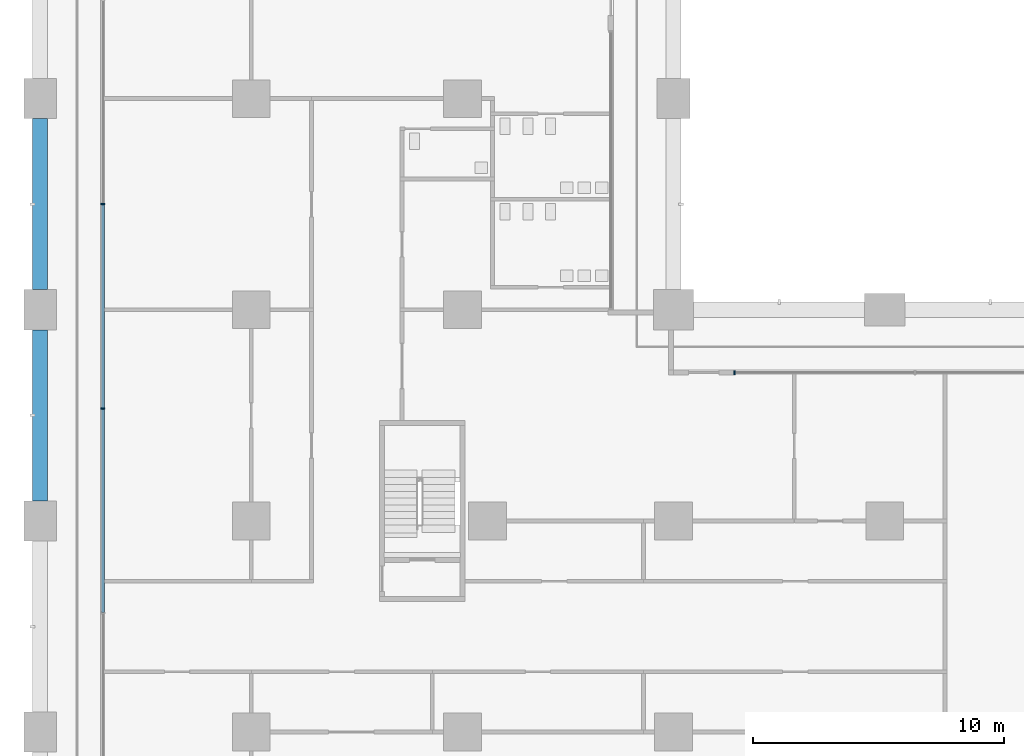
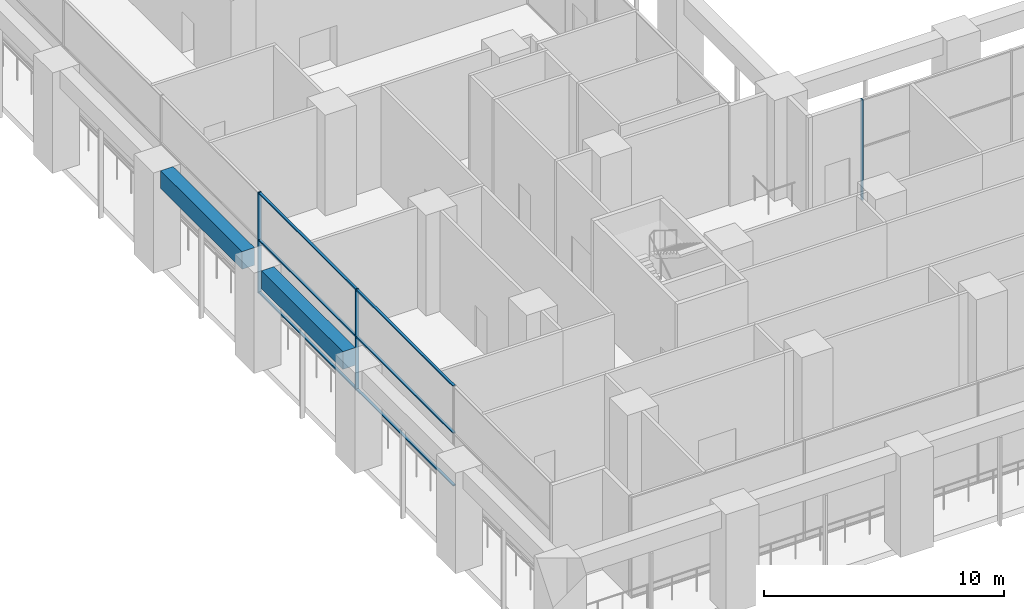
# One storey, part 4 of 32: 9 members, 2 beams, 2 elements without a shape of their own.
"""IFC4 building model written with IfcOpenShell, lengths in metres."""

from ifc_helpers import new_model, si_unit, direction, frame, origin, origin_2d, place, context, subcontext, project, spatial, rectangle, extrude, material, material_profile, profile_set, type_object, element, aggregate, save


model = new_model("IFC4")

# Units and contexts
model_context = context("Model", 3, precision=1e-05, world=origin(), true_north=direction((0.0, 1.0)))
body_context = subcontext(model_context, "Body", "Model", "MODEL_VIEW")
ifc_project = project(units=[si_unit("LENGTHUNIT", "METRE"), si_unit("AREAUNIT", "SQUARE_METRE"), si_unit("VOLUMEUNIT", "CUBIC_METRE"), si_unit("PLANEANGLEUNIT", "RADIAN"), si_unit("MASSUNIT", "GRAM", prefix="KILO")], contexts=[model_context])

# Site, building, storey
site_placement = place(None, origin())
site = spatial("IfcSite", under=ifc_project, at=site_placement, CompositionType="ELEMENT")
building_placement = place(site_placement, origin())
building = spatial("IfcBuilding", under=site, at=building_placement, Name="Vermilion Gate Residences", CompositionType="ELEMENT")
storey_placement = place(building_placement, frame((0.0, 0.0, 19.800048828125)))
storey = spatial("IfcBuildingStorey", under=building, at=storey_placement, Name="L03", CompositionType="ELEMENT", Elevation=19.800048828125)

# Curtain wall, members
ifc_material_1 = material(Name="Aluminium and glass", Category="aluminium")
curtain_wall_type = type_object("IfcCurtainWallType", Name="AMENITY GLAZING CURTAIN WALL", PredefinedType="NOTDEFINED", material=ifc_material_1)
curtain_wall_1_placement = place(storey_placement, origin())
curtain_wall_1 = element("IfcCurtainWall", 1, at=curtain_wall_1_placement, inside=storey, type_object=curtain_wall_type, Name="Amenity Glazing 30", PredefinedType="NOTDEFINED")
ifc_material_2 = material(Name="Aluminium", Category="aluminium")
ifc_material_profile_1 = material_profile(ifc_material_2, rectangle(XDim=0.159912109375, YDim=0.06005859375, at=origin_2d()), Name="MULLION 60 X 160")
ifc_profile_set_1 = profile_set([ifc_material_profile_1], Name="Aluminium")
member_type_1 = type_object("IfcMemberType", Name="AMENITY GLAZING MULLION 60 X 160", PredefinedType="MULLION", material=ifc_profile_set_1)
member_1_placement = place(storey_placement, frame((2.5, 29.39990234375, 0.0), z_axis=(0.0, 0.0, 1.0), x_axis=(1.0, 0.0, 0.0)))
member_1 = element("IfcMember", 2, at=member_1_placement, type_object=member_type_1, Name="ECW2 mullion 4", PredefinedType="MULLION", context=body_context, shape_type="SweptSolid", body=[
    extrude(rectangle(XDim=0.159912109375, YDim=0.06005859375, at=origin_2d()), origin(), (0.0, 0.0, 1.0), 5.119873046875),
])
member_2_placement = place(storey_placement, frame((2.5, 21.2666015625, 0.0), z_axis=(0.0, 0.0, 1.0), x_axis=(1.0, 0.0, 0.0)))
member_2 = element("IfcMember", 3, at=member_2_placement, type_object=member_type_1, Name="ECW2 mullion 5", PredefinedType="MULLION", context=body_context, shape_type="SweptSolid", body=[
    extrude(rectangle(XDim=0.159912109375, YDim=0.06005859375, at=origin_2d()), origin(), (0.0, 0.0, 1.0), 5.119873046875),
])

# Curtain wall, member
curtain_wall_2_placement = place(storey_placement, origin())
curtain_wall_2 = element("IfcCurtainWall", 4, at=curtain_wall_2_placement, inside=storey, type_object=curtain_wall_type, Name="Amenity Glazing 130", PredefinedType="NOTDEFINED")
member_3_placement = place(storey_placement, frame((27.6298828125, 22.699951171875, 0.0), z_axis=(0.0, 0.0, 1.0), x_axis=(0.0, -1.0, 0.0)))
member_3 = element("IfcMember", 5, at=member_3_placement, type_object=member_type_1, Name="ECW2 mullion 3", PredefinedType="MULLION", context=body_context, shape_type="SweptSolid", body=[
    extrude(rectangle(XDim=0.159912109375, YDim=0.06005859375, at=origin_2d()), origin(), (0.0, 0.0, 1.0), 5.119873046875),
])
aggregate(curtain_wall_2, [member_3])

# Member
ifc_material_3 = material(Name="Aluminium", Category="aluminium")
ifc_material_profile_2 = material_profile(ifc_material_3, rectangle(XDim=0.1201171875, YDim=0.06005859375, at=origin_2d()), Name="TRANSOM 60 X 120")
ifc_profile_set_2 = profile_set([ifc_material_profile_2], Name="Aluminium")
member_type_2 = type_object("IfcMemberType", Name="AMENITY GLAZING TRANSOM 60 X 120", PredefinedType="MULLION", material=ifc_profile_set_2)
member_4_placement = place(storey_placement, frame((2.5, 29.3701171875, 0.030029296875), z_axis=(0.0, -1.0, 0.0), x_axis=(1.0, 0.0, 0.0)))
member_4 = element("IfcMember", 6, at=member_4_placement, type_object=member_type_2, Name="ECW2 transom 4.1", PredefinedType="MULLION", context=body_context, shape_type="SweptSolid", body=[
    extrude(rectangle(XDim=0.1201171875, YDim=0.06005859375, at=origin_2d()), origin(), (0.0, 0.0, 1.0), 8.073486328125),
])

member_5_placement = place(storey_placement, frame((2.5, 29.3701171875, 2.699951171875), z_axis=(0.0, -1.0, 0.0), x_axis=(1.0, 0.0, 0.0)))
member_5 = element("IfcMember", 7, at=member_5_placement, type_object=member_type_2, Name="ECW2 transom 4.2", PredefinedType="MULLION", context=body_context, shape_type="SweptSolid", body=[
    extrude(rectangle(XDim=0.1201171875, YDim=0.06005859375, at=origin_2d()), origin(), (0.0, 0.0, 1.0), 8.073486328125),
])

member_6_placement = place(storey_placement, frame((2.5, 29.3701171875, 5.08984375), z_axis=(0.0, -1.0, 0.0), x_axis=(1.0, 0.0, 0.0)))
member_6 = element("IfcMember", 8, at=member_6_placement, type_object=member_type_2, Name="ECW2 transom 4.3", PredefinedType="MULLION", context=body_context, shape_type="SweptSolid", body=[
    extrude(rectangle(XDim=0.1201171875, YDim=0.06005859375, at=origin_2d()), origin(), (0.0, 0.0, 1.0), 8.073486328125),
])

member_7_placement = place(storey_placement, frame((2.5, 21.236572265625, 0.030029296875), z_axis=(0.0, -1.0, 0.0), x_axis=(1.0, 0.0, 0.0)))
member_7 = element("IfcMember", 9, at=member_7_placement, type_object=member_type_2, Name="ECW2 transom 5.1", PredefinedType="MULLION", context=body_context, shape_type="SweptSolid", body=[
    extrude(rectangle(XDim=0.1201171875, YDim=0.06005859375, at=origin_2d()), origin(), (0.0, 0.0, 1.0), 8.0732421875),
])

member_8_placement = place(storey_placement, frame((2.5, 21.236572265625, 2.699951171875), z_axis=(0.0, -1.0, 0.0), x_axis=(1.0, 0.0, 0.0)))
member_8 = element("IfcMember", 10, at=member_8_placement, type_object=member_type_2, Name="ECW2 transom 5.2", PredefinedType="MULLION", context=body_context, shape_type="SweptSolid", body=[
    extrude(rectangle(XDim=0.1201171875, YDim=0.06005859375, at=origin_2d()), origin(), (0.0, 0.0, 1.0), 8.0732421875),
])

member_9_placement = place(storey_placement, frame((2.5, 21.236572265625, 5.08984375), z_axis=(0.0, -1.0, 0.0), x_axis=(1.0, 0.0, 0.0)))
member_9 = element("IfcMember", 11, at=member_9_placement, type_object=member_type_2, Name="ECW2 transom 5.3", PredefinedType="MULLION", context=body_context, shape_type="SweptSolid", body=[
    extrude(rectangle(XDim=0.1201171875, YDim=0.06005859375, at=origin_2d()), origin(), (0.0, 0.0, 1.0), 8.0732421875),
])

aggregate(curtain_wall_1, [member_1, member_2, member_4, member_5, member_6, member_7, member_8, member_9])

# Beams
ifc_material_4 = material(Name="Concrete C60 red-oxide pigmented", Category="concrete")
ifc_material_profile_3 = material_profile(ifc_material_4, rectangle(XDim=0.60009765625, YDim=0.89990234375, at=origin_2d()), Name="RC-600x900")
ifc_profile_set_3 = profile_set([ifc_material_profile_3], Name="Concrete C60 red-oxide pigmented")
beam_type = type_object("IfcBeamType", Name="RC EDGE BEAM 600 X 900 C60", PredefinedType="BEAM", material=ifc_profile_set_3)
beam_1_placement = place(storey_placement, frame((0.0, 17.60009765625, 4.669921875), z_axis=(0.0, 1.0, 0.0), x_axis=(-1.0, 0.0, 0.0)))
element("IfcBeam", 12, at=beam_1_placement, inside=storey, type_object=beam_type, Name="Edge beam L03 4", PredefinedType="BEAM", context=body_context, shape_type="SweptSolid", body=[
    extrude(rectangle(XDim=0.60009765625, YDim=0.89990234375, at=origin_2d()), origin(), (0.0, 0.0, 1.0), 6.7998046875),
])
beam_2_placement = place(storey_placement, frame((0.0, 26.0, 4.669921875), z_axis=(0.0, 1.0, 0.0), x_axis=(-1.0, 0.0, 0.0)))
element("IfcBeam", 13, at=beam_2_placement, inside=storey, type_object=beam_type, Name="Edge beam L03 5", PredefinedType="BEAM", context=body_context, shape_type="SweptSolid", body=[
    extrude(rectangle(XDim=0.60009765625, YDim=0.89990234375, at=origin_2d()), origin(), (0.0, 0.0, 1.0), 6.800048828125),
])

save(model, "model.ifc")
